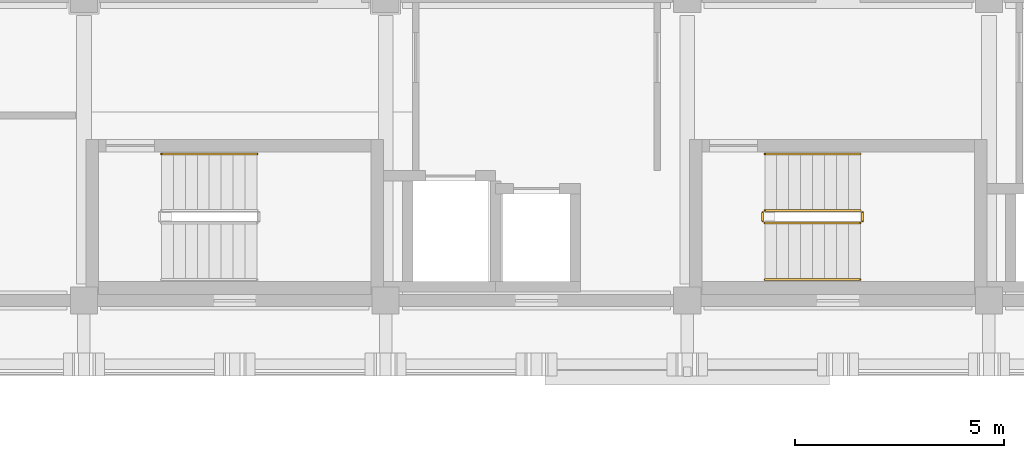
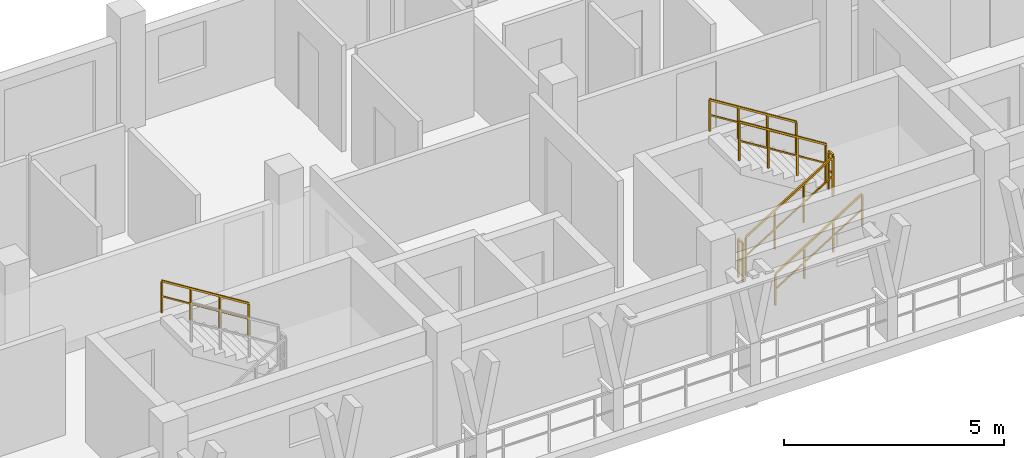
# One storey, part 149 of 157: 7 railings.
"""IFC4 building model written with IfcOpenShell, lengths in metres."""

from ifc_helpers import new_model, si_unit, direction, frame, origin, origin_2d, place, context, subcontext, project, spatial, rectangle, extrude, material, type_object, element, save


model = new_model("IFC4")

# Units and contexts
model_context = context("Model", 3, precision=1e-05, world=origin(), true_north=direction((0.0, 1.0)))
body_context = subcontext(model_context, "Body", "Model", "MODEL_VIEW")
ifc_project = project(units=[si_unit("LENGTHUNIT", "METRE"), si_unit("AREAUNIT", "SQUARE_METRE"), si_unit("VOLUMEUNIT", "CUBIC_METRE"), si_unit("PLANEANGLEUNIT", "RADIAN"), si_unit("MASSUNIT", "GRAM", prefix="KILO")], contexts=[model_context])

# Site, building, storey
site_placement = place(None, origin())
site = spatial("IfcSite", under=ifc_project, at=site_placement, CompositionType="ELEMENT")
building_placement = place(site_placement, origin())
building = spatial("IfcBuilding", under=site, at=building_placement, Name="Suanplinth Sawtooth Commons", CompositionType="ELEMENT")
storey_placement = place(building_placement, frame((0.0, 0.0, 9.0)))
storey = spatial("IfcBuildingStorey", under=building, at=storey_placement, Name="L02", CompositionType="ELEMENT", Elevation=9.0)

# Railings
ifc_material = material(Name="Stainless steel Grade 304", Category="steel")
railing_type_1 = type_object("IfcRailingType", Name="GR-04", PredefinedType="GUARDRAIL", material=ifc_material)
railing_1_placement = place(storey_placement, frame((59.449951171875, 109.85009765625, 0.177734375)))
element("IfcRailing", 1, at=railing_1_placement, inside=storey, type_object=railing_type_1, Name="L02 ST-N2 Guard 1", PredefinedType="GUARDRAIL", context=body_context, shape_type="SweptSolid", body=[
    extrude(rectangle(XDim=0.048095703125, YDim=0.048095703125, at=origin_2d()), frame((0.0, 0.0, 1.076171875), z_axis=(0.848442045328, 0.0, 0.529288291689), x_axis=(0.0, 1.0, 0.0)), (0.0, 0.0, 1.0), 2.687255859375),
    extrude(rectangle(XDim=0.03369140625, YDim=0.03369140625, at=origin_2d()), frame((0.0, 0.0, 0.550048828125), z_axis=(0.848442045328, 0.0, 0.529288291689), x_axis=(0.0, 1.0, 0.0)), (0.0, 0.0, 1.0), 2.687255859375),
    extrude(rectangle(XDim=0.0419921875, YDim=0.0419921875, at=origin_2d()), origin(), (0.0, 0.0, 1.0), 1.052001953125),
    extrude(rectangle(XDim=0.0419921875, YDim=0.0419921875, at=origin_2d()), frame((0.760009765625, 0.0, 0.47412109375)), (0.0, 0.0, 1.0), 1.052001953125),
    extrude(rectangle(XDim=0.0419921875, YDim=0.0419921875, at=origin_2d()), frame((1.52001953125, 0.0, 0.9482421875)), (0.0, 0.0, 1.0), 1.052001953125),
    extrude(rectangle(XDim=0.0419921875, YDim=0.0419921875, at=origin_2d()), frame((2.280029296875, 0.0, 1.42236328125)), (0.0, 0.0, 1.0), 1.052001953125),
])
railing_2_placement = place(storey_placement, frame((61.780029296875, 109.89990234375, 1.60009765625)))
element("IfcRailing", 2, at=railing_2_placement, inside=storey, type_object=railing_type_1, Name="L02 ST-N2 Guard 2", PredefinedType="GUARDRAIL", context=body_context, shape_type="SweptSolid", body=[
    extrude(rectangle(XDim=0.048095703125, YDim=0.048095703125, at=origin_2d()), frame((0.0, 0.0, 1.076171875), z_axis=(0.0, 1.0, 0.0), x_axis=(-1.0, 0.0, 0.0)), (0.0, 0.0, 1.0), 0.2001953125),
    extrude(rectangle(XDim=0.03369140625, YDim=0.03369140625, at=origin_2d()), frame((0.0, 0.0, 0.550048828125), z_axis=(0.0, 1.0, 0.0), x_axis=(-1.0, 0.0, 0.0)), (0.0, 0.0, 1.0), 0.2001953125),
    extrude(rectangle(XDim=0.0419921875, YDim=0.0419921875, at=origin_2d()), origin(), (0.0, 0.0, 1.0), 1.052001953125),
    extrude(rectangle(XDim=0.0419921875, YDim=0.0419921875, at=origin_2d()), frame((0.0, 0.2001953125, 0.0)), (0.0, 0.0, 1.0), 1.052001953125),
])
railing_3_placement = place(storey_placement, frame((61.72998046875, 110.14990234375, 1.77783203125)))
element("IfcRailing", 3, at=railing_3_placement, inside=storey, type_object=railing_type_1, Name="L02 ST-N2 Guard 3", PredefinedType="GUARDRAIL", context=body_context, shape_type="SweptSolid", body=[
    extrude(rectangle(XDim=0.048095703125, YDim=0.048095703125, at=origin_2d()), frame((0.0, 0.0, 1.076171875), z_axis=(-0.848482842525, 0.0, 0.529222888715), x_axis=(0.0, -1.0, 0.0)), (0.0, 0.0, 1.0), 2.687255859375),
    extrude(rectangle(XDim=0.03369140625, YDim=0.03369140625, at=origin_2d()), frame((0.0, 0.0, 0.550048828125), z_axis=(-0.848482842525, 0.0, 0.529222888715), x_axis=(0.0, -1.0, 0.0)), (0.0, 0.0, 1.0), 2.687255859375),
    extrude(rectangle(XDim=0.0419921875, YDim=0.0419921875, at=origin_2d()), origin(), (0.0, 0.0, 1.0), 1.052001953125),
    extrude(rectangle(XDim=0.0419921875, YDim=0.0419921875, at=origin_2d()), frame((-0.760009765625, 0.0, 0.47412109375)), (0.0, 0.0, 1.0), 1.052001953125),
    extrude(rectangle(XDim=0.0419921875, YDim=0.0419921875, at=origin_2d()), frame((-1.52001953125, 0.0, 0.947998046875)), (0.0, 0.0, 1.0), 1.052001953125),
    extrude(rectangle(XDim=0.0419921875, YDim=0.0419921875, at=origin_2d()), frame((-2.280029296875, 0.0, 1.422119140625)), (0.0, 0.0, 1.0), 1.052001953125),
])
railing_4_placement = place(storey_placement, frame((59.39990234375, 109.89990234375, 0.0)))
element("IfcRailing", 4, at=railing_4_placement, inside=storey, type_object=railing_type_1, Name="L02 ST-N2 Guard 4", PredefinedType="GUARDRAIL", context=body_context, shape_type="SweptSolid", body=[
    extrude(rectangle(XDim=0.048095703125, YDim=0.048095703125, at=origin_2d()), frame((0.0, 0.0, 1.076171875), z_axis=(0.0, 1.0, 0.0), x_axis=(-1.0, 0.0, 0.0)), (0.0, 0.0, 1.0), 0.2001953125),
    extrude(rectangle(XDim=0.03369140625, YDim=0.03369140625, at=origin_2d()), frame((0.0, 0.0, 0.550048828125), z_axis=(0.0, 1.0, 0.0), x_axis=(-1.0, 0.0, 0.0)), (0.0, 0.0, 1.0), 0.2001953125),
    extrude(rectangle(XDim=0.0419921875, YDim=0.0419921875, at=origin_2d()), origin(), (0.0, 0.0, 1.0), 1.052001953125),
    extrude(rectangle(XDim=0.0419921875, YDim=0.0419921875, at=origin_2d()), frame((0.0, 0.2001953125, 0.0)), (0.0, 0.0, 1.0), 1.052001953125),
])
railing_type_2 = type_object("IfcRailingType", Name="HR-01", PredefinedType="HANDRAIL", material=ifc_material)
railing_5_placement = place(storey_placement, frame((47.330078125, 111.5, 1.77783203125)))
element("IfcRailing", 5, at=railing_5_placement, inside=storey, type_object=railing_type_2, Name="L02 ST-N1 Handrail 2", PredefinedType="HANDRAIL", context=body_context, shape_type="SweptSolid", body=[
    extrude(rectangle(XDim=0.048095703125, YDim=0.048095703125, at=origin_2d()), frame((0.0, 0.0, 0.8759765625), z_axis=(-0.848482842525, 0.0, 0.529222888715), x_axis=(0.0, -1.0, 0.0)), (0.0, 0.0, 1.0), 2.687255859375),
    extrude(rectangle(XDim=0.03369140625, YDim=0.03369140625, at=origin_2d()), frame((0.0, 0.0, 0.449951171875), z_axis=(-0.848482842525, 0.0, 0.529222888715), x_axis=(0.0, -1.0, 0.0)), (0.0, 0.0, 1.0), 2.687255859375),
    extrude(rectangle(XDim=0.0419921875, YDim=0.0419921875, at=origin_2d()), origin(), (0.0, 0.0, 1.0), 0.851806640625),
    extrude(rectangle(XDim=0.0419921875, YDim=0.0419921875, at=origin_2d()), frame((-0.760009765625, 0.0, 0.47412109375)), (0.0, 0.0, 1.0), 0.851806640625),
    extrude(rectangle(XDim=0.0419921875, YDim=0.0419921875, at=origin_2d()), frame((-1.52001953125, 0.0, 0.947998046875)), (0.0, 0.0, 1.0), 0.851806640625),
    extrude(rectangle(XDim=0.0419921875, YDim=0.0419921875, at=origin_2d()), frame((-2.280029296875, 0.0, 1.422119140625)), (0.0, 0.0, 1.0), 0.851806640625),
])
railing_6_placement = place(storey_placement, frame((59.449951171875, 108.5, 0.177734375)))
element("IfcRailing", 6, at=railing_6_placement, inside=storey, type_object=railing_type_2, Name="L02 ST-N2 Handrail 1", PredefinedType="HANDRAIL", context=body_context, shape_type="SweptSolid", body=[
    extrude(rectangle(XDim=0.048095703125, YDim=0.048095703125, at=origin_2d()), frame((0.0, 0.0, 0.8759765625), z_axis=(0.848442045328, 0.0, 0.529288291689), x_axis=(0.0, 1.0, 0.0)), (0.0, 0.0, 1.0), 2.687255859375),
    extrude(rectangle(XDim=0.03369140625, YDim=0.03369140625, at=origin_2d()), frame((0.0, 0.0, 0.449951171875), z_axis=(0.848442045328, 0.0, 0.529288291689), x_axis=(0.0, 1.0, 0.0)), (0.0, 0.0, 1.0), 2.687255859375),
    extrude(rectangle(XDim=0.0419921875, YDim=0.0419921875, at=origin_2d()), origin(), (0.0, 0.0, 1.0), 0.851806640625),
    extrude(rectangle(XDim=0.0419921875, YDim=0.0419921875, at=origin_2d()), frame((0.760009765625, 0.0, 0.47412109375)), (0.0, 0.0, 1.0), 0.851806640625),
    extrude(rectangle(XDim=0.0419921875, YDim=0.0419921875, at=origin_2d()), frame((1.52001953125, 0.0, 0.9482421875)), (0.0, 0.0, 1.0), 0.851806640625),
    extrude(rectangle(XDim=0.0419921875, YDim=0.0419921875, at=origin_2d()), frame((2.280029296875, 0.0, 1.42236328125)), (0.0, 0.0, 1.0), 0.851806640625),
])
railing_7_placement = place(storey_placement, frame((61.72998046875, 111.5, 1.77783203125)))
element("IfcRailing", 7, at=railing_7_placement, inside=storey, type_object=railing_type_2, Name="L02 ST-N2 Handrail 2", PredefinedType="HANDRAIL", context=body_context, shape_type="SweptSolid", body=[
    extrude(rectangle(XDim=0.048095703125, YDim=0.048095703125, at=origin_2d()), frame((0.0, 0.0, 0.8759765625), z_axis=(-0.848482842525, 0.0, 0.529222888715), x_axis=(0.0, -1.0, 0.0)), (0.0, 0.0, 1.0), 2.687255859375),
    extrude(rectangle(XDim=0.03369140625, YDim=0.03369140625, at=origin_2d()), frame((0.0, 0.0, 0.449951171875), z_axis=(-0.848482842525, 0.0, 0.529222888715), x_axis=(0.0, -1.0, 0.0)), (0.0, 0.0, 1.0), 2.687255859375),
    extrude(rectangle(XDim=0.0419921875, YDim=0.0419921875, at=origin_2d()), origin(), (0.0, 0.0, 1.0), 0.851806640625),
    extrude(rectangle(XDim=0.0419921875, YDim=0.0419921875, at=origin_2d()), frame((-0.760009765625, 0.0, 0.47412109375)), (0.0, 0.0, 1.0), 0.851806640625),
    extrude(rectangle(XDim=0.0419921875, YDim=0.0419921875, at=origin_2d()), frame((-1.52001953125, 0.0, 0.947998046875)), (0.0, 0.0, 1.0), 0.851806640625),
    extrude(rectangle(XDim=0.0419921875, YDim=0.0419921875, at=origin_2d()), frame((-2.280029296875, 0.0, 1.422119140625)), (0.0, 0.0, 1.0), 0.851806640625),
])

save(model, "model.ifc")
